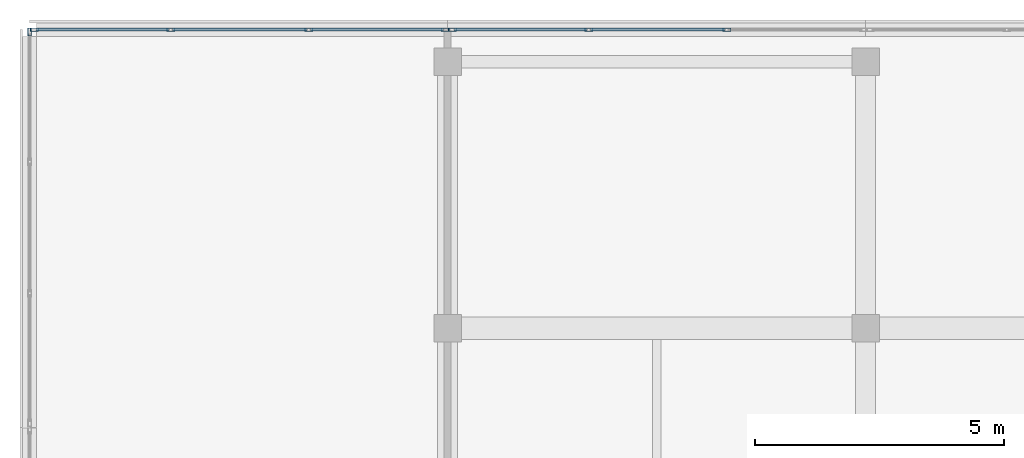
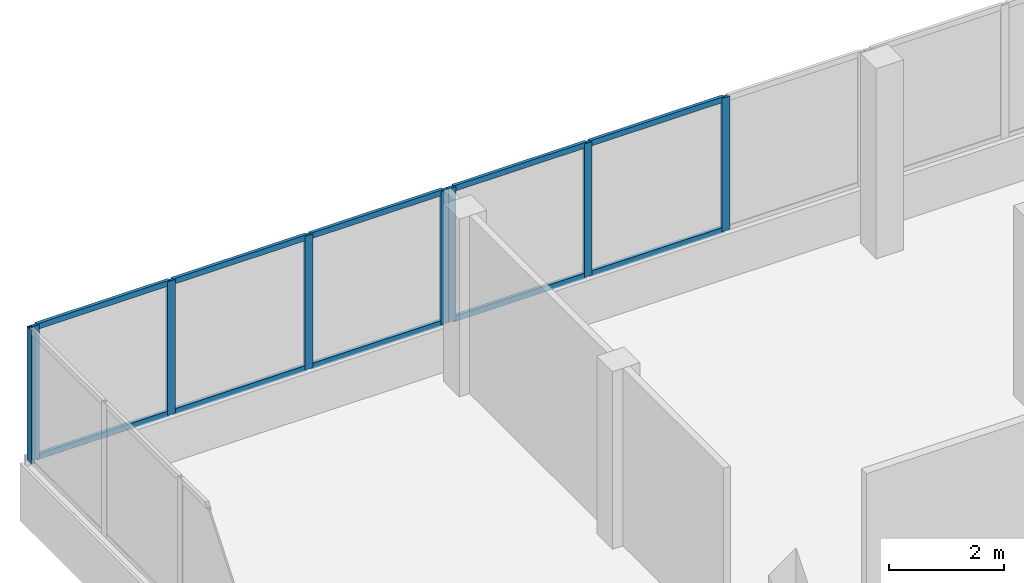
# One storey, part 18 of 66: 18 members, 3 elements without a shape of their own.
"""IFC4 building model written with IfcOpenShell, lengths in metres."""

from ifc_helpers import new_model, si_unit, direction, frame, origin, origin_2d, place, context, subcontext, project, spatial, hollow_rectangle, extrude, material, material_profile, profile_set, type_object, element, aggregate, save


model = new_model("IFC4")

# Units and contexts
model_context = context("Model", 3, precision=1e-05, world=origin(), true_north=direction((0.0, 1.0)))
body_context = subcontext(model_context, "Body", "Model", "MODEL_VIEW")
ifc_project = project(units=[si_unit("LENGTHUNIT", "METRE"), si_unit("AREAUNIT", "SQUARE_METRE"), si_unit("VOLUMEUNIT", "CUBIC_METRE"), si_unit("PLANEANGLEUNIT", "RADIAN"), si_unit("MASSUNIT", "GRAM", prefix="KILO")], contexts=[model_context])

# Site, building, storey
site_placement = place(None, origin())
site = spatial("IfcSite", under=ifc_project, at=site_placement, CompositionType="ELEMENT")
building_placement = place(site_placement, origin())
building = spatial("IfcBuilding", under=site, at=building_placement, Name="Selatvlak General Hospital", CompositionType="ELEMENT")
storey_placement = place(building_placement, frame((0.0, 0.0, 31.35009765625)))
storey = spatial("IfcBuildingStorey", under=building, at=storey_placement, Name="L07", CompositionType="ELEMENT", Elevation=31.35009765625)

# Curtain wall, member
ifc_material_1 = material(Name="Solar-control Low-E double glazing", Category="glass")
curtain_wall_type_1 = type_object("IfcCurtainWallType", Name="CW-CW-02", PredefinedType="USERDEFINED", material=ifc_material_1)
curtain_wall_1_placement = place(storey_placement, origin())
curtain_wall_1 = element("IfcCurtainWall", 1, at=curtain_wall_1_placement, inside=storey, type_object=curtain_wall_type_1, Name="Glazed facade curtain wall CW-L07-0642", ObjectType="UNITISED CURTAIN WALL", PredefinedType="USERDEFINED")
ifc_material_2 = material(Name="Dark anodised aluminium mullion", Category="aluminium")
ifc_material_profile_1 = material_profile(ifc_material_2, hollow_rectangle(XDim=0.06494140625, YDim=0.159912109375, WallThickness=0.00390625, at=origin_2d()), Name="AL-MUL 65x160x4")
ifc_profile_set_1 = profile_set([ifc_material_profile_1], Name="Dark anodised aluminium mullion")
member_type_1 = type_object("IfcMemberType", Name="CWM-01", PredefinedType="MULLION", material=ifc_profile_set_1)
member_1_placement = place(storey_placement, frame((22.800048828125, 119.951416015625, 0.93994140625), z_axis=(0.0, 0.0, 1.0), x_axis=(-1.0, 0.0, 0.0)))
member_1 = element("IfcMember", 2, at=member_1_placement, type_object=member_type_1, Name="CW-02 mullion 4", PredefinedType="MULLION", context=body_context, shape_type="SweptSolid", body=[
    extrude(hollow_rectangle(XDim=0.06494140625, YDim=0.159912109375, WallThickness=0.00390625, at=origin_2d()), origin(), (0.0, 0.0, 1.0), 2.844970703125),
])
aggregate(curtain_wall_1, [member_1])

# Curtain wall, members
curtain_wall_type_2 = type_object("IfcCurtainWallType", Name="CW-CW-01", PredefinedType="USERDEFINED", material=ifc_material_1)
curtain_wall_2_placement = place(storey_placement, origin())
curtain_wall_2 = element("IfcCurtainWall", 3, at=curtain_wall_2_placement, inside=storey, type_object=curtain_wall_type_2, Name="Glazed facade curtain wall CW-L07-0643", ObjectType="UNITISED CURTAIN WALL", PredefinedType="USERDEFINED")
member_2_placement = place(storey_placement, frame((22.8974609375, 119.9990234375, 0.93994140625), z_axis=(0.0, 0.0, 1.0), x_axis=(0.0, 1.0, 0.0)))
member_2 = element("IfcMember", 4, at=member_2_placement, type_object=member_type_1, Name="CW-01 mullion 1", PredefinedType="MULLION", context=body_context, shape_type="SweptSolid", body=[
    extrude(hollow_rectangle(XDim=0.06494140625, YDim=0.159912109375, WallThickness=0.00390625, at=origin_2d()), origin(), (0.0, 0.0, 1.0), 2.844970703125),
])
member_3_placement = place(storey_placement, frame((25.638427734375, 119.9990234375, 0.93994140625), z_axis=(0.0, 0.0, 1.0), x_axis=(0.0, 1.0, 0.0)))
member_3 = element("IfcMember", 5, at=member_3_placement, type_object=member_type_1, Name="CW-01 mullion 2", PredefinedType="MULLION", context=body_context, shape_type="SweptSolid", body=[
    extrude(hollow_rectangle(XDim=0.06494140625, YDim=0.159912109375, WallThickness=0.00390625, at=origin_2d()), origin(), (0.0, 0.0, 1.0), 2.844970703125),
])
member_4_placement = place(storey_placement, frame((28.41162109375, 119.9990234375, 0.93994140625), z_axis=(0.0, 0.0, 1.0), x_axis=(0.0, 1.0, 0.0)))
member_4 = element("IfcMember", 6, at=member_4_placement, type_object=member_type_1, Name="CW-01 mullion 3", PredefinedType="MULLION", context=body_context, shape_type="SweptSolid", body=[
    extrude(hollow_rectangle(XDim=0.06494140625, YDim=0.159912109375, WallThickness=0.00390625, at=origin_2d()), origin(), (0.0, 0.0, 1.0), 2.844970703125),
])
member_5_placement = place(storey_placement, frame((31.152587890625, 119.9990234375, 0.93994140625), z_axis=(0.0, 0.0, 1.0), x_axis=(0.0, 1.0, 0.0)))
member_5 = element("IfcMember", 7, at=member_5_placement, type_object=member_type_1, Name="CW-01 mullion 4", PredefinedType="MULLION", context=body_context, shape_type="SweptSolid", body=[
    extrude(hollow_rectangle(XDim=0.06494140625, YDim=0.159912109375, WallThickness=0.00390625, at=origin_2d()), origin(), (0.0, 0.0, 1.0), 2.844970703125),
])

curtain_wall_3_placement = place(storey_placement, origin())
curtain_wall_3 = element("IfcCurtainWall", 8, at=curtain_wall_3_placement, inside=storey, type_object=curtain_wall_type_1, Name="Glazed facade curtain wall CW-L07-0644", ObjectType="UNITISED CURTAIN WALL", PredefinedType="USERDEFINED")
member_6_placement = place(storey_placement, frame((31.297607421875, 119.9990234375, 0.93994140625), z_axis=(0.0, 0.0, 1.0), x_axis=(0.0, 1.0, 0.0)))
member_6 = element("IfcMember", 9, at=member_6_placement, type_object=member_type_1, Name="CW-02 mullion 1", PredefinedType="MULLION", context=body_context, shape_type="SweptSolid", body=[
    extrude(hollow_rectangle(XDim=0.06494140625, YDim=0.159912109375, WallThickness=0.00390625, at=origin_2d()), origin(), (0.0, 0.0, 1.0), 2.844970703125),
])
member_7_placement = place(storey_placement, frame((34.038330078125, 119.9990234375, 0.93994140625), z_axis=(0.0, 0.0, 1.0), x_axis=(0.0, 1.0, 0.0)))
member_7 = element("IfcMember", 10, at=member_7_placement, type_object=member_type_1, Name="CW-02 mullion 2", PredefinedType="MULLION", context=body_context, shape_type="SweptSolid", body=[
    extrude(hollow_rectangle(XDim=0.06494140625, YDim=0.159912109375, WallThickness=0.00390625, at=origin_2d()), origin(), (0.0, 0.0, 1.0), 2.844970703125),
])
member_8_placement = place(storey_placement, frame((36.811767578125, 119.9990234375, 0.93994140625), z_axis=(0.0, 0.0, 1.0), x_axis=(0.0, 1.0, 0.0)))
member_8 = element("IfcMember", 11, at=member_8_placement, type_object=member_type_1, Name="CW-02 mullion 3", PredefinedType="MULLION", context=body_context, shape_type="SweptSolid", body=[
    extrude(hollow_rectangle(XDim=0.06494140625, YDim=0.159912109375, WallThickness=0.00390625, at=origin_2d()), origin(), (0.0, 0.0, 1.0), 2.844970703125),
])

# Member
ifc_material_profile_2 = material_profile(ifc_material_2, hollow_rectangle(XDim=0.06494140625, YDim=0.1201171875, WallThickness=0.00390625, at=origin_2d()), Name="AL-TRN 65x120x4")
ifc_profile_set_2 = profile_set([ifc_material_profile_2], Name="Dark anodised aluminium mullion")
member_type_2 = type_object("IfcMemberType", Name="CWT-01", PredefinedType="USERDEFINED", material=ifc_profile_set_2)
member_9_placement = place(storey_placement, frame((22.929931640625, 119.9990234375, 0.972412109375), z_axis=(1.0, 0.0, 0.0), x_axis=(0.0, 1.0, 0.0)))
member_9 = element("IfcMember", 12, at=member_9_placement, type_object=member_type_2, Name="CW-01 transom 1.1", ObjectType="TRANSOM", PredefinedType="USERDEFINED", context=body_context, shape_type="SweptSolid", body=[
    extrude(hollow_rectangle(XDim=0.06494140625, YDim=0.1201171875, WallThickness=0.00390625, at=origin_2d()), origin(), (0.0, 0.0, 1.0), 2.67578125),
])

member_10_placement = place(storey_placement, frame((22.929931640625, 119.9990234375, 3.75244140625), z_axis=(1.0, 0.0, 0.0), x_axis=(0.0, 1.0, 0.0)))
member_10 = element("IfcMember", 13, at=member_10_placement, type_object=member_type_2, Name="CW-01 transom 1.2", ObjectType="TRANSOM", PredefinedType="USERDEFINED", context=body_context, shape_type="SweptSolid", body=[
    extrude(hollow_rectangle(XDim=0.06494140625, YDim=0.1201171875, WallThickness=0.00390625, at=origin_2d()), origin(), (0.0, 0.0, 1.0), 2.67578125),
])

member_11_placement = place(storey_placement, frame((25.6708984375, 119.9990234375, 0.972412109375), z_axis=(1.0, 0.0, 0.0), x_axis=(0.0, 1.0, 0.0)))
member_11 = element("IfcMember", 14, at=member_11_placement, type_object=member_type_2, Name="CW-01 transom 2.1", ObjectType="TRANSOM", PredefinedType="USERDEFINED", context=body_context, shape_type="SweptSolid", body=[
    extrude(hollow_rectangle(XDim=0.06494140625, YDim=0.1201171875, WallThickness=0.00390625, at=origin_2d()), origin(), (0.0, 0.0, 1.0), 2.708251953125),
])

member_12_placement = place(storey_placement, frame((25.6708984375, 119.9990234375, 3.75244140625), z_axis=(1.0, 0.0, 0.0), x_axis=(0.0, 1.0, 0.0)))
member_12 = element("IfcMember", 15, at=member_12_placement, type_object=member_type_2, Name="CW-01 transom 2.2", ObjectType="TRANSOM", PredefinedType="USERDEFINED", context=body_context, shape_type="SweptSolid", body=[
    extrude(hollow_rectangle(XDim=0.06494140625, YDim=0.1201171875, WallThickness=0.00390625, at=origin_2d()), origin(), (0.0, 0.0, 1.0), 2.708251953125),
])

member_13_placement = place(storey_placement, frame((28.444091796875, 119.9990234375, 0.972412109375), z_axis=(1.0, 0.0, 0.0), x_axis=(0.0, 1.0, 0.0)))
member_13 = element("IfcMember", 16, at=member_13_placement, type_object=member_type_2, Name="CW-01 transom 3.1", ObjectType="TRANSOM", PredefinedType="USERDEFINED", context=body_context, shape_type="SweptSolid", body=[
    extrude(hollow_rectangle(XDim=0.06494140625, YDim=0.1201171875, WallThickness=0.00390625, at=origin_2d()), origin(), (0.0, 0.0, 1.0), 2.676025390625),
])

member_14_placement = place(storey_placement, frame((28.444091796875, 119.9990234375, 3.75244140625), z_axis=(1.0, 0.0, 0.0), x_axis=(0.0, 1.0, 0.0)))
member_14 = element("IfcMember", 17, at=member_14_placement, type_object=member_type_2, Name="CW-01 transom 3.2", ObjectType="TRANSOM", PredefinedType="USERDEFINED", context=body_context, shape_type="SweptSolid", body=[
    extrude(hollow_rectangle(XDim=0.06494140625, YDim=0.1201171875, WallThickness=0.00390625, at=origin_2d()), origin(), (0.0, 0.0, 1.0), 2.676025390625),
])

aggregate(curtain_wall_2, [member_2, member_3, member_4, member_5, member_9, member_10, member_11, member_12, member_13, member_14])

member_15_placement = place(storey_placement, frame((31.330078125, 119.9990234375, 0.972412109375), z_axis=(1.0, 0.0, 0.0), x_axis=(0.0, 1.0, 0.0)))
member_15 = element("IfcMember", 18, at=member_15_placement, type_object=member_type_2, Name="CW-02 transom 1.1", ObjectType="TRANSOM", PredefinedType="USERDEFINED", context=body_context, shape_type="SweptSolid", body=[
    extrude(hollow_rectangle(XDim=0.06494140625, YDim=0.1201171875, WallThickness=0.00390625, at=origin_2d()), origin(), (0.0, 0.0, 1.0), 2.67578125),
])

member_16_placement = place(storey_placement, frame((31.330078125, 119.9990234375, 3.75244140625), z_axis=(1.0, 0.0, 0.0), x_axis=(0.0, 1.0, 0.0)))
member_16 = element("IfcMember", 19, at=member_16_placement, type_object=member_type_2, Name="CW-02 transom 1.2", ObjectType="TRANSOM", PredefinedType="USERDEFINED", context=body_context, shape_type="SweptSolid", body=[
    extrude(hollow_rectangle(XDim=0.06494140625, YDim=0.1201171875, WallThickness=0.00390625, at=origin_2d()), origin(), (0.0, 0.0, 1.0), 2.67578125),
])

member_17_placement = place(storey_placement, frame((34.07080078125, 119.9990234375, 0.972412109375), z_axis=(1.0, 0.0, 0.0), x_axis=(0.0, 1.0, 0.0)))
member_17 = element("IfcMember", 20, at=member_17_placement, type_object=member_type_2, Name="CW-02 transom 2.1", ObjectType="TRANSOM", PredefinedType="USERDEFINED", context=body_context, shape_type="SweptSolid", body=[
    extrude(hollow_rectangle(XDim=0.06494140625, YDim=0.1201171875, WallThickness=0.00390625, at=origin_2d()), origin(), (0.0, 0.0, 1.0), 2.708251953125),
])

member_18_placement = place(storey_placement, frame((34.07080078125, 119.9990234375, 3.75244140625), z_axis=(1.0, 0.0, 0.0), x_axis=(0.0, 1.0, 0.0)))
member_18 = element("IfcMember", 21, at=member_18_placement, type_object=member_type_2, Name="CW-02 transom 2.2", ObjectType="TRANSOM", PredefinedType="USERDEFINED", context=body_context, shape_type="SweptSolid", body=[
    extrude(hollow_rectangle(XDim=0.06494140625, YDim=0.1201171875, WallThickness=0.00390625, at=origin_2d()), origin(), (0.0, 0.0, 1.0), 2.708251953125),
])

aggregate(curtain_wall_3, [member_6, member_7, member_8, member_15, member_16, member_17, member_18])

save(model, "model.ifc")
